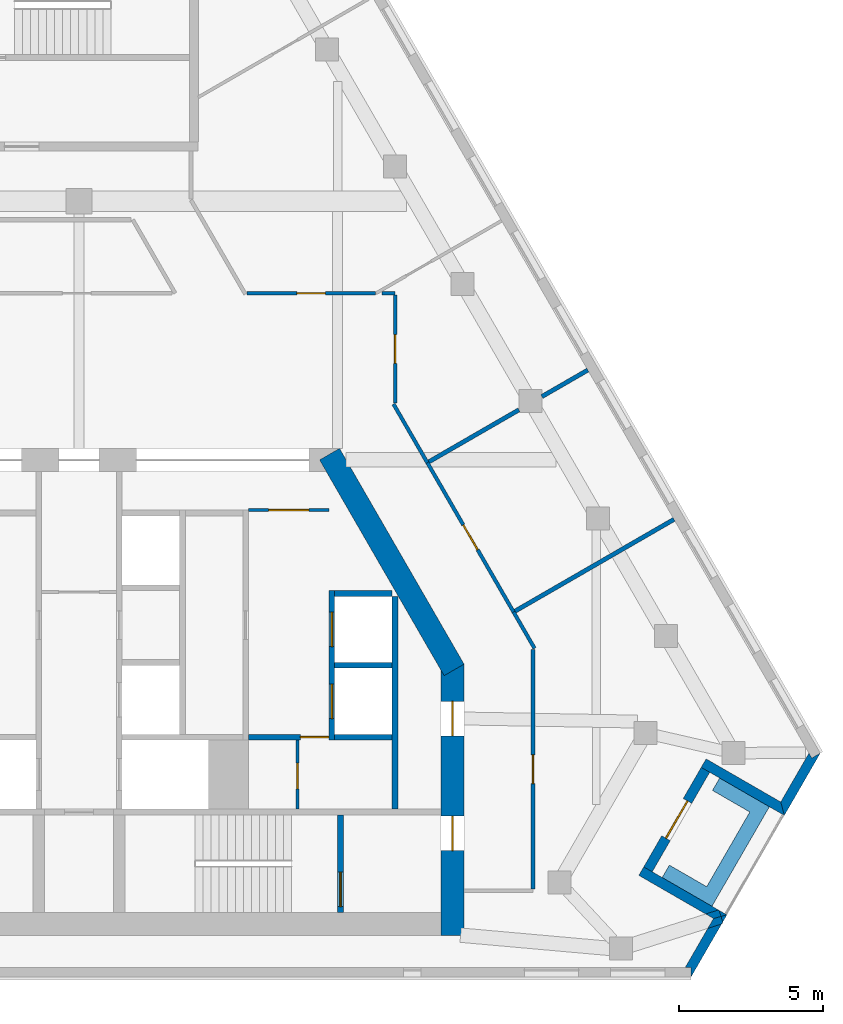
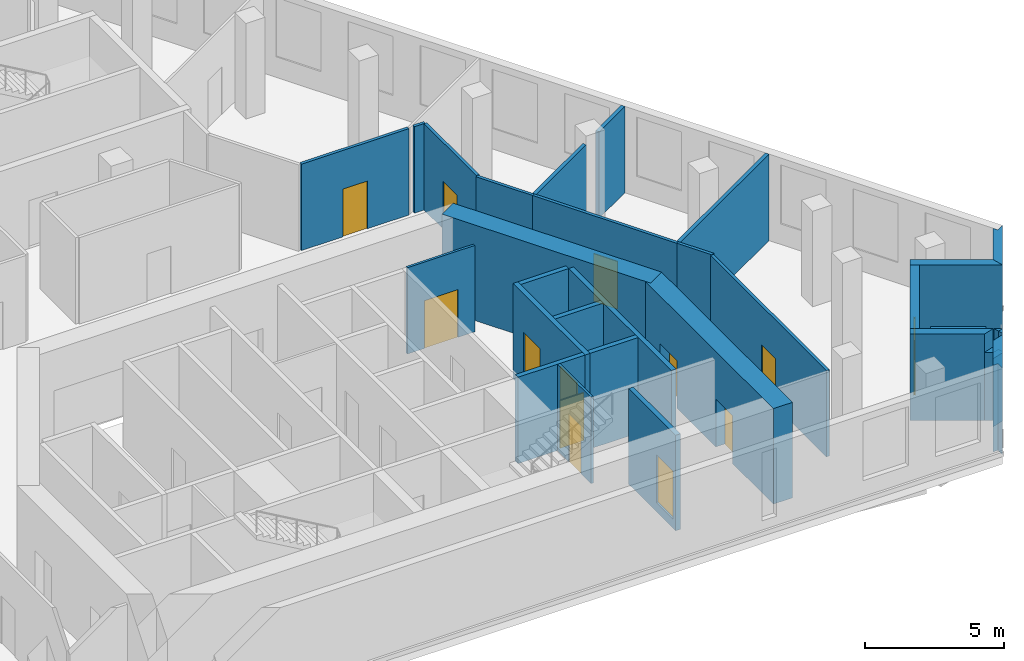
# One storey, part 5 of 8: 31 walls, 13 doors, 13 openings.
"""IFC4 building model written with IfcOpenShell, lengths in metres."""

from ifc_helpers import new_model, si_unit, direction, frame, frame_2d, origin, place, context, subcontext, project, spatial, polyline, rectangle, outline, extrude, material, layer, layer_set, type_object, element, fill, save


model = new_model("IFC4")

# Units and contexts
model_context = context("Model", 3, precision=1e-05, world=origin(), true_north=direction((0.0, 1.0)))
body_context = subcontext(model_context, "Body", "Model", "MODEL_VIEW")
ifc_project = project(units=[si_unit("LENGTHUNIT", "METRE"), si_unit("AREAUNIT", "SQUARE_METRE"), si_unit("VOLUMEUNIT", "CUBIC_METRE"), si_unit("PLANEANGLEUNIT", "RADIAN"), si_unit("MASSUNIT", "GRAM", prefix="KILO")], contexts=[model_context])

# Site, building, storey
site_placement = place(None, origin())
site = spatial("IfcSite", under=ifc_project, at=site_placement, CompositionType="ELEMENT")
building_placement = place(site_placement, origin())
building = spatial("IfcBuilding", under=site, at=building_placement, Name="Fogline Exchange Tower", CompositionType="ELEMENT")
storey_placement = place(building_placement, frame((0.0, 0.0, 266.699951171875)))
storey = spatial("IfcBuildingStorey", under=building, at=storey_placement, Name="L60", CompositionType="ELEMENT", Elevation=266.699951171875)

# Wall, opening, door
ifc_material_1 = material(Name="Blockwork partition", Category="masonry")
ifc_layer_1 = layer(ifc_material_1, 0.10009765625)
ifc_layer_set_1 = layer_set([ifc_layer_1], Name="CW10")
wall_type_1 = type_object("IfcWallType", Name="CW10", PredefinedType="PARTITIONING", material=ifc_layer_set_1)
wall_1_placement = place(storey_placement, frame((5.89990234375, 16.25, 0.0), z_axis=(0.0, 0.0, 1.0), x_axis=(1.0, 0.0, 0.0)))
wall_1 = element("IfcWall", 1, at=wall_1_placement, inside=storey, type_object=wall_type_1, Name="Lift lobby partition", PredefinedType="PARTITIONING", context=body_context, shape_type="SweptSolid", body=[
    extrude(rectangle(XDim=2.800048828125, YDim=0.10009765625, at=frame_2d((1.39990234375, 0.0))), origin(), (0.0, 0.0, 1.0), 3.800048828125),
])
opening_1_placement = place(wall_1_placement, frame((0.699951171875, 0.0, 0.0)))
opening_1 = element("IfcOpeningElement", 2, at=opening_1_placement, cuts=wall_1, Name="Opening T19-C012", PredefinedType="OPENING", context=body_context, shape_type="SweptSolid", body=[
    extrude(rectangle(XDim=1.39990234375, YDim=2.10009765625, at=frame_2d((0.699951171875, 1.050048828125))), frame((0.0, 0.06005859375, 0.0), z_axis=(0.0, -1.0, 0.0), x_axis=(1.0, 0.0, 0.0)), (0.0, 0.0, 1.0), 0.1201171875),
])
ifc_material_2 = material(Name="Steel and timber fire door", Category="steel")
door_type_1 = type_object("IfcDoorType", Name="D-LB1", OperationType="DOUBLE_DOOR_SINGLE_SWING", PredefinedType="DOOR", material=ifc_material_2)
door_1_placement = place(opening_1_placement, origin())
door_1 = element("IfcDoor", 3, at=door_1_placement, inside=storey, type_object=door_type_1, Name="Door to lift lobby", OperationType="DOUBLE_DOOR_SINGLE_SWING", OverallHeight=2.10009765625, OverallWidth=1.39990234375, PredefinedType="DOOR", context=body_context, shape_type="SweptSolid", body=[
    extrude(rectangle(XDim=1.39990234375, YDim=2.10009765625, at=frame_2d((0.699951171875, 1.050048828125))), frame((0.0, 0.02490234375, 0.0), z_axis=(0.0, -1.0, 0.0), x_axis=(1.0, 0.0, 0.0)), (0.0, 0.0, 1.0), 0.050048828125),
])
fill(opening_1, door_1)

wall_2_placement = place(storey_placement, frame((7.60009765625, 5.85009765625, 0.0), z_axis=(0.0, 0.0, 1.0), x_axis=(0.0, 1.0, 0.0)))
wall_2 = element("IfcWall", 4, at=wall_2_placement, inside=storey, type_object=wall_type_1, Name="WC partition", PredefinedType="PARTITIONING", context=body_context, shape_type="SweptSolid", body=[
    extrude(rectangle(XDim=2.39990234375, YDim=0.10009765625, at=frame_2d((1.199951171875, 0.0))), origin(), (0.0, 0.0, 1.0), 3.800048828125),
])
opening_2_placement = place(wall_2_placement, frame((0.699951171875, 0.0, 0.0)))
opening_2 = element("IfcOpeningElement", 5, at=opening_2_placement, cuts=wall_2, Name="Opening T19-C014", PredefinedType="OPENING", context=body_context, shape_type="SweptSolid", body=[
    extrude(rectangle(XDim=0.89990234375, YDim=2.10009765625, at=frame_2d((0.449951171875, 1.050048828125))), frame((0.0, 0.06005859375, 0.0), z_axis=(0.0, -1.0, 0.0), x_axis=(1.0, 0.0, 0.0)), (0.0, 0.0, 1.0), 0.1201171875),
])
door_type_2 = type_object("IfcDoorType", Name="D-CS1", OperationType="SINGLE_SWING_RIGHT", PredefinedType="DOOR", material=ifc_material_2)
door_2_placement = place(opening_2_placement, origin())
door_2 = element("IfcDoor", 6, at=door_2_placement, inside=storey, type_object=door_type_2, Name="Door to Cleaner's Store", OperationType="SINGLE_SWING_LEFT", OverallHeight=2.10009765625, OverallWidth=0.89990234375, PredefinedType="DOOR", context=body_context, shape_type="SweptSolid", body=[
    extrude(rectangle(XDim=0.89990234375, YDim=2.10009765625, at=frame_2d((0.449951171875, 1.050048828125))), frame((0.0, 0.02490234375, 0.0), z_axis=(0.0, -1.0, 0.0), x_axis=(1.0, 0.0, 0.0)), (0.0, 0.0, 1.0), 0.050048828125),
])
fill(opening_2, door_2)

# Wall
ifc_material_3 = material(Name="Concrete C40", Category="concrete")
ifc_layer_2 = layer(ifc_material_3, 0.199951171875)
ifc_layer_set_2 = layer_set([ifc_layer_2], Name="CW20")
wall_type_2 = type_object("IfcWallType", Name="CW20", PredefinedType="SOLIDWALL", material=ifc_layer_set_2)
wall_3_placement = place(storey_placement, frame((11.0, 5.85009765625, 0.0), z_axis=(0.0, 0.0, 1.0), x_axis=(0.0, 1.0, 0.0)))
element("IfcWall", 7, at=wall_3_placement, inside=storey, type_object=wall_type_2, Name="Service room wall", PredefinedType="SOLIDWALL", context=body_context, shape_type="SweptSolid", body=[
    extrude(rectangle(XDim=7.39990234375, YDim=0.199951171875, at=frame_2d((3.699951171875, 0.0))), origin(), (0.0, 0.0, 1.0), 3.800048828125),
])

# Wall, opening, door
wall_4_placement = place(storey_placement, frame((5.89990234375, 8.35009765625, 0.0), z_axis=(0.0, 0.0, 1.0), x_axis=(1.0, 0.0, 0.0)))
wall_4 = element("IfcWall", 8, at=wall_4_placement, inside=storey, type_object=wall_type_2, Name="WC wall", PredefinedType="SOLIDWALL", context=body_context, shape_type="SweptSolid", body=[
    extrude(rectangle(XDim=2.800048828125, YDim=0.199951171875, at=frame_2d((1.39990234375, 0.0))), origin(), (0.0, 0.0, 1.0), 3.800048828125),
])
opening_3_placement = place(wall_4_placement, frame((1.800048828125, 0.0, 0.0)))
opening_3 = element("IfcOpeningElement", 9, at=opening_3_placement, cuts=wall_4, Name="Opening T19-C013", PredefinedType="OPENING", context=body_context, shape_type="SweptSolid", body=[
    extrude(rectangle(XDim=1.0, YDim=2.10009765625, at=frame_2d((0.5, 1.050048828125))), frame((0.0, 0.10986328125, 0.0), z_axis=(0.0, -1.0, 0.0), x_axis=(1.0, 0.0, 0.0)), (0.0, 0.0, 1.0), 0.219970703125),
])
door_type_3 = type_object("IfcDoorType", Name="D-WC1", OperationType="SINGLE_SWING_LEFT", PredefinedType="DOOR", material=ifc_material_2)
door_3_placement = place(opening_3_placement, frame((1.0, 0.0, 0.0), z_axis=(0.0, 0.0, 1.0), x_axis=(-1.0, 0.0, 0.0)))
door_3 = element("IfcDoor", 10, at=door_3_placement, inside=storey, type_object=door_type_3, Name="Door to Women's WC", OperationType="SINGLE_SWING_LEFT", OverallHeight=2.10009765625, OverallWidth=1.0, PredefinedType="DOOR", context=body_context, shape_type="SweptSolid", body=[
    extrude(rectangle(XDim=1.0, YDim=2.10009765625, at=frame_2d((0.5, 1.050048828125))), frame((0.0, 0.02490234375, 0.0), z_axis=(0.0, -1.0, 0.0), x_axis=(1.0, 0.0, 0.0)), (0.0, 0.0, 1.0), 0.050048828125),
])
fill(opening_3, door_3)

ifc_layer_3 = layer(ifc_material_3, 0.199951171875)
ifc_layer_set_3 = layer_set([ifc_layer_3], Name="CW20R")
wall_type_3 = type_object("IfcWallType", Name="CW20R", PredefinedType="SOLIDWALL", material=ifc_layer_set_3)
wall_5_placement = place(storey_placement, frame((9.10009765625, 2.25, -0.39990234375), z_axis=(0.0, 0.0, 1.0), x_axis=(0.0, 1.0, 0.0)))
wall_5 = element("IfcWall", 11, at=wall_5_placement, inside=storey, type_object=wall_type_3, Name="Stair enclosure wall", PredefinedType="SOLIDWALL", context=body_context, shape_type="SweptSolid", body=[
    extrude(rectangle(XDim=3.39990234375, YDim=0.199951171875, at=frame_2d((1.699951171875, 0.0))), origin(), (0.0, 0.0, 1.0), 4.199951171875),
])
opening_4_placement = place(wall_5_placement, frame((0.199951171875, 0.0, 0.39990234375)))
opening_4 = element("IfcOpeningElement", 12, at=opening_4_placement, cuts=wall_5, Name="Opening T19-C016", PredefinedType="OPENING", context=body_context, shape_type="SweptSolid", body=[
    extrude(rectangle(XDim=1.199951171875, YDim=2.10009765625, at=frame_2d((0.60009765625, 1.050048828125))), frame((0.0, 0.10986328125, 0.0), z_axis=(0.0, -1.0, 0.0), x_axis=(1.0, 0.0, 0.0)), (0.0, 0.0, 1.0), 0.219970703125),
])
door_type_4 = type_object("IfcDoorType", Name="D-ST1", OperationType="SINGLE_SWING_LEFT", PredefinedType="DOOR", material=ifc_material_2)
door_4_placement = place(opening_4_placement, origin())
door_4 = element("IfcDoor", 13, at=door_4_placement, inside=storey, type_object=door_type_4, Name="Stair door ST2", OperationType="SINGLE_SWING_LEFT", OverallHeight=2.10009765625, OverallWidth=1.199951171875, PredefinedType="DOOR", context=body_context, shape_type="SweptSolid", body=[
    extrude(rectangle(XDim=1.199951171875, YDim=2.10009765625, at=frame_2d((0.60009765625, 1.050048828125))), frame((0.0, 0.02490234375, 0.0), z_axis=(0.0, -1.0, 0.0), x_axis=(1.0, 0.0, 0.0)), (0.0, 0.0, 1.0), 0.050048828125),
])
fill(opening_4, door_4)

# Wall, openings, doors
ifc_layer_4 = layer(ifc_material_3, 0.199951171875)
ifc_layer_set_4 = layer_set([ifc_layer_4], Name="CW20S")
wall_type_4 = type_object("IfcWallType", Name="CW20S", PredefinedType="SOLIDWALL", material=ifc_layer_set_4)
wall_6_placement = place(storey_placement, frame((8.800048828125, 8.25, -0.39990234375), z_axis=(0.0, 0.0, 1.0), x_axis=(0.0, 1.0, 0.0)))
wall_6 = element("IfcWall", 14, at=wall_6_placement, inside=storey, type_object=wall_type_4, Name="Lift shaft wall", PredefinedType="SOLIDWALL", context=body_context, shape_type="SweptSolid", body=[
    extrude(rectangle(XDim=5.199951171875, YDim=0.199951171875, at=frame_2d((2.60009765625, 0.0))), origin(), (0.0, 0.0, 1.0), 4.199951171875),
])
opening_5_placement = place(wall_6_placement, frame((0.75, 0.0, 0.39990234375)))
opening_5 = element("IfcOpeningElement", 15, at=opening_5_placement, cuts=wall_6, Name="Opening T19-LD02", PredefinedType="OPENING", context=body_context, shape_type="SweptSolid", body=[
    extrude(rectangle(XDim=1.199951171875, YDim=2.10009765625, at=frame_2d((0.60009765625, 1.050048828125))), frame((0.0, 0.10986328125, 0.0), z_axis=(0.0, -1.0, 0.0), x_axis=(1.0, 0.0, 0.0)), (0.0, 0.0, 1.0), 0.219970703125),
])
opening_6_placement = place(wall_6_placement, frame((3.25, 0.0, 0.39990234375)))
opening_6 = element("IfcOpeningElement", 16, at=opening_6_placement, cuts=wall_6, Name="Opening T19-LD03", PredefinedType="OPENING", context=body_context, shape_type="SweptSolid", body=[
    extrude(rectangle(XDim=1.199951171875, YDim=2.10009765625, at=frame_2d((0.60009765625, 1.050048828125))), frame((0.0, 0.10986328125, 0.0), z_axis=(0.0, -1.0, 0.0), x_axis=(1.0, 0.0, 0.0)), (0.0, 0.0, 1.0), 0.219970703125),
])
door_type_5 = type_object("IfcDoorType", Name="LD1", OperationType="SLIDING_TO_LEFT", PredefinedType="DOOR", material=ifc_material_2)
door_5_placement = place(opening_5_placement, origin())
door_5 = element("IfcDoor", 17, at=door_5_placement, inside=storey, type_object=door_type_5, Name="Landing door HR1", OperationType="SLIDING_TO_LEFT", OverallHeight=2.10009765625, OverallWidth=1.199951171875, PredefinedType="DOOR", context=body_context, shape_type="SweptSolid", body=[
    extrude(rectangle(XDim=1.199951171875, YDim=2.10009765625, at=frame_2d((0.60009765625, 1.050048828125))), frame((0.0, 0.02490234375, 0.0), z_axis=(0.0, -1.0, 0.0), x_axis=(1.0, 0.0, 0.0)), (0.0, 0.0, 1.0), 0.050048828125),
])
fill(opening_5, door_5)
door_6_placement = place(opening_6_placement, origin())
door_6 = element("IfcDoor", 18, at=door_6_placement, inside=storey, type_object=door_type_5, Name="Landing door HR2", OperationType="SLIDING_TO_LEFT", OverallHeight=2.10009765625, OverallWidth=1.199951171875, PredefinedType="DOOR", context=body_context, shape_type="SweptSolid", body=[
    extrude(rectangle(XDim=1.199951171875, YDim=2.10009765625, at=frame_2d((0.60009765625, 1.050048828125))), frame((0.0, 0.02490234375, 0.0), z_axis=(0.0, -1.0, 0.0), x_axis=(1.0, 0.0, 0.0)), (0.0, 0.0, 1.0), 0.050048828125),
])
fill(opening_6, door_6)

# Walls
for number, where, z_axis, x_axis, name in (
    (19, (8.89990234375, 8.35009765625, -0.39990234375), (0.0, 0.0, 1.0), (1.0, 0.0, 0.0), "Lift shaft wall"),
    (20, (8.89990234375, 10.85009765625, -0.39990234375), (0.0, 0.0, 1.0), (1.0, 0.0, 0.0), "Lift shaft wall"),
    (21, (8.89990234375, 13.35009765625, -0.39990234375), (0.0, 0.0, 1.0), (1.0, 0.0, 0.0), "Lift shaft wall"),
):
    element("IfcWall", number, at=place(storey_placement, frame(where, z_axis=z_axis, x_axis=x_axis)), inside=storey, type_object=wall_type_4, Name=name, PredefinedType="SOLIDWALL", context=body_context, shape_type="SweptSolid", body=[
        extrude(rectangle(XDim=2.0, YDim=0.199951171875, at=frame_2d((1.0, 0.0))), origin(), (0.0, 0.0, 1.0), 4.199951171875),
    ])
ifc_material_4 = material(Name="Brick masonry", Category="masonry")
ifc_layer_5 = layer(ifc_material_4, 0.340087890625)
ifc_layer_set_5 = layer_set([ifc_layer_5], Name="FW1")
wall_type_5 = type_object("IfcWallType", Name="FW1", PredefinedType="SOLIDWALL", material=ifc_layer_set_5)
wall_7_placement = place(storey_placement, origin())
element("IfcWall", 22, at=wall_7_placement, inside=storey, type_object=wall_type_5, Name="Brick wall L60 SE-c1", PredefinedType="SOLIDWALL", context=body_context, shape_type="SweptSolid", body=[
    extrude(outline(polyline([(22.36474609375, 1.848388671875), (21.882568359375, 1.695556640625), (22.08203125, 2.041015625), (22.3427734375, 2.11083984375), (22.404296875, 1.91650390625), (22.36474609375, 1.848388671875)])), origin(), (0.0, 0.0, 1.0), 3.0),
])
wall_8_placement = place(storey_placement, origin())
element("IfcWall", 23, at=wall_8_placement, inside=storey, type_object=wall_type_5, Name="Brick wall L60 SE-c1", PredefinedType="SOLIDWALL", context=body_context, shape_type="SweptSolid", body=[
    extrude(outline(polyline([(22.404296875, 1.91650390625), (22.3427734375, 2.11083984375), (22.5478515625, 2.166015625), (22.548095703125, 2.165771484375), (22.404296875, 1.91650390625)])), origin(), (0.0, 0.0, 1.0), 3.800048828125),
])
wall_9_placement = place(storey_placement, origin())
element("IfcWall", 24, at=wall_9_placement, inside=storey, type_object=wall_type_5, Name="Brick wall L60 SE-c1", PredefinedType="SOLIDWALL", context=body_context, shape_type="SweptSolid", body=[
    extrude(outline(polyline([(21.296875, -0.001220703125), (21.29638671875, -0.0009765625), (21.29638671875, 0.33935546875), (21.099609375, 0.33935546875), (21.882568359375, 1.695556640625), (22.36474609375, 1.848388671875), (21.296875, -0.001220703125)])), origin(), (0.0, 0.0, 1.0), 3.800048828125),
])
wall_10_placement = place(storey_placement, origin())
element("IfcWall", 25, at=wall_10_placement, inside=storey, type_object=wall_type_5, Name="Brick wall L60 SE-s1", PredefinedType="SOLIDWALL", context=body_context, shape_type="SweptSolid", body=[
    extrude(outline(polyline([(22.275634765625, 2.322265625), (22.343017578125, 2.10986328125), (22.08251953125, 2.0400390625), (21.810302734375, 2.197265625), (22.2509765625, 2.336669921875), (22.275634765625, 2.322265625)])), origin(), (0.0, 0.0, 1.0), 3.0),
])
wall_11_placement = place(storey_placement, origin())
element("IfcWall", 26, at=wall_11_placement, inside=storey, type_object=wall_type_5, Name="Brick wall L60 SE-s1", PredefinedType="SOLIDWALL", context=body_context, shape_type="SweptSolid", body=[
    extrude(outline(polyline([(19.654296875, 3.8359375), (19.94921875, 3.66552734375), (22.2509765625, 2.336669921875), (21.810302734375, 2.197265625), (19.483642578125, 3.540283203125), (19.654296875, 3.8359375)])), origin(), (0.0, 0.0, 1.0), 3.800048828125),
])
wall_12_placement = place(storey_placement, origin())
element("IfcWall", 27, at=wall_12_placement, inside=storey, type_object=wall_type_5, Name="Brick wall L60 SE-s1", PredefinedType="SOLIDWALL", context=body_context, shape_type="SweptSolid", body=[
    extrude(outline(polyline([(22.548095703125, 2.1650390625), (22.548095703125, 2.164794921875), (22.343017578125, 2.10986328125), (22.275634765625, 2.322265625), (22.548095703125, 2.1650390625)])), origin(), (0.0, 0.0, 1.0), 3.800048828125),
])

# Wall, opening, door
wall_13_placement = place(storey_placement, frame((19.8017578125, 3.75, 0.0), z_axis=(0.0, 0.0, 1.0), x_axis=(0.49999894854, 0.866026010844, 0.0)))
wall_13 = element("IfcWall", 28, at=wall_13_placement, inside=storey, type_object=wall_type_5, Name="Brick wall L60 SE-bk", PredefinedType="SOLIDWALL", context=body_context, shape_type="SweptSolid", body=[
    extrude(rectangle(XDim=4.0, YDim=0.340087890625, at=frame_2d((2.0, 0.0))), origin(), (0.0, 0.0, 1.0), 3.800048828125),
])
opening_7_placement = place(wall_13_placement, frame((1.25, 0.0, 0.0)))
opening_7 = element("IfcOpeningElement", 29, at=opening_7_placement, cuts=wall_13, Name="Opening T19-E081", PredefinedType="OPENING", context=body_context, shape_type="SweptSolid", body=[
    extrude(rectangle(XDim=1.5, YDim=2.39990234375, at=frame_2d((0.75, 1.199951171875))), frame((0.0, 0.18017578125, 0.0), z_axis=(0.0, -1.0, 0.0), x_axis=(1.0, 0.0, 0.0)), (0.0, 0.0, 1.0), 0.360107421875),
])
ifc_material_5 = material(Name="Aluminium and glass", Category="aluminium")
door_type_6 = type_object("IfcDoorType", Name="ED4", OperationType="SINGLE_SWING_LEFT", PredefinedType="DOOR", material=ifc_material_5)
door_7_placement = place(opening_7_placement, frame((1.5, 0.0, 0.0), z_axis=(0.0, 0.0, 1.0), x_axis=(-1.0, 0.0, 0.0)))
door_7 = element("IfcDoor", 30, at=door_7_placement, inside=storey, type_object=door_type_6, Name="Balcony door L60 SE", OperationType="DOUBLE_DOOR_SINGLE_SWING", OverallHeight=2.39990234375, OverallWidth=1.5, PredefinedType="DOOR", context=body_context, shape_type="SweptSolid", body=[
    extrude(rectangle(XDim=1.5, YDim=2.39990234375, at=frame_2d((0.75, 1.199951171875))), frame((0.0, 0.02490234375, 0.0), z_axis=(0.0, -1.0, 0.0), x_axis=(1.0, 0.0, 0.0)), (0.0, 0.0, 1.0), 0.050048828125),
])
fill(opening_7, door_7)

# Walls
wall_14_placement = place(storey_placement, origin())
element("IfcWall", 31, at=wall_14_placement, inside=storey, type_object=wall_type_5, Name="Brick wall L60 SE-s2", PredefinedType="SOLIDWALL", context=body_context, shape_type="SweptSolid", body=[
    extrude(outline(polyline([(24.547607421875, 5.628173828125), (21.948486328125, 7.128662109375), (21.653564453125, 7.298828125), (21.82421875, 7.594482421875), (24.423095703125, 6.093994140625), (24.5478515625, 5.62841796875), (24.547607421875, 5.628173828125)])), origin(), (0.0, 0.0, 1.0), 3.800048828125),
])
wall_15_placement = place(storey_placement, origin())
element("IfcWall", 32, at=wall_15_placement, inside=storey, type_object=wall_type_5, Name="Brick wall L60 SE-c2", PredefinedType="SOLIDWALL", context=body_context, shape_type="SweptSolid", body=[
    extrude(outline(polyline([(25.404296875, 7.79541015625), (25.502685546875, 7.625), (25.797607421875, 7.79541015625), (25.798095703125, 7.794921875), (24.546875, 5.6279296875), (24.546630859375, 5.6279296875), (24.421875, 6.09375), (25.404296875, 7.79541015625)])), origin(), (0.0, 0.0, 1.0), 3.800048828125),
])
ifc_material_6 = material(Name="Concrete C30", Category="concrete")
ifc_layer_6 = layer(ifc_material_6, 0.199951171875)
ifc_layer_set_6 = layer_set([ifc_layer_6], Name="PL1")
wall_type_6 = type_object("IfcWallType", Name="PL1", PredefinedType="USERDEFINED", material=ifc_layer_set_6)
wall_16_placement = place(storey_placement, origin())
element("IfcWall", 33, at=wall_16_placement, inside=storey, type_object=wall_type_6, Name="PLANTER balcony L60 SE", ObjectType="PLANTER", PredefinedType="USERDEFINED", context=body_context, shape_type="SweptSolid", body=[
    extrude(outline(polyline([(20.29541015625, 3.465087890625), (21.59423828125, 2.715087890625), (21.59423828125, 2.715087890625), (22.02734375, 2.465087890625), (23.77734375, 5.49609375), (24.02734375, 5.92919921875), (22.29541015625, 6.92919921875), (22.04541015625, 6.49609375), (23.34423828125, 5.74609375), (21.84423828125, 3.148193359375), (20.54541015625, 3.898193359375), (20.29541015625, 3.465087890625)])), origin(), (0.0, 0.0, 1.0), 1.10009765625),
])
ifc_material_7 = material(Name="Plasterboard corridor partition with mineral wool, 2 layers each side")
ifc_layer_7 = layer(ifc_material_7, 0.125)
ifc_layer_set_7 = layer_set([ifc_layer_7], Name="PW2")
wall_type_7 = type_object("IfcWallType", Name="PW2", PredefinedType="PARTITIONING", material=ifc_layer_set_7)
wall_17_placement = place(storey_placement, frame((10.94580078125, 19.942626953125, 0.0), z_axis=(0.0, 0.0, 1.0), x_axis=(0.500018540756, -0.866014699009, 0.0)))
element("IfcWall", 34, at=wall_17_placement, inside=storey, type_object=wall_type_7, Name="wall-L60-W001", PredefinedType="PARTITIONING", context=body_context, shape_type="SweptSolid", body=[
    extrude(rectangle(XDim=2.35546875, YDim=0.125, at=frame_2d((1.177734375, 0.0))), origin(), (0.0, 0.0, 1.0), 3.800048828125),
])
wall_18_placement = place(storey_placement, frame((15.12353515625, 12.70654296875, 0.0), z_axis=(0.0, 0.0, 1.0), x_axis=(0.500002030309, -0.866024231582, 0.0)))
element("IfcWall", 35, at=wall_18_placement, inside=storey, type_object=wall_type_7, Name="wall-L60-W002", PredefinedType="PARTITIONING", context=body_context, shape_type="SweptSolid", body=[
    extrude(rectangle(XDim=1.46142578125, YDim=0.125, at=frame_2d((0.730712890625, 0.0))), origin(), (0.0, 0.0, 1.0), 3.800048828125),
])

# Wall, opening, door
wall_19_placement = place(storey_placement, frame((15.800048828125, 11.409912109375, 0.0), z_axis=(0.0, 0.0, 1.0), x_axis=(0.0, -1.0, 0.0)))
wall_19 = element("IfcWall", 36, at=wall_19_placement, inside=storey, type_object=wall_type_7, Name="wall-L60-W003", PredefinedType="PARTITIONING", context=body_context, shape_type="SweptSolid", body=[
    extrude(rectangle(XDim=8.347412109375, YDim=0.125, at=frame_2d((4.173828125, 0.0))), origin(), (0.0, 0.0, 1.0), 3.800048828125),
])
opening_8_placement = place(wall_19_placement, frame((3.673583984375, 0.0, 0.0)))
opening_8 = element("IfcOpeningElement", 37, at=opening_8_placement, cuts=wall_19, Name="Opening T19-D001", PredefinedType="OPENING", context=body_context, shape_type="SweptSolid", body=[
    extrude(rectangle(XDim=1.0, YDim=2.10009765625, at=frame_2d((0.5, 1.050048828125))), frame((0.0, 0.072509765625, 0.0), z_axis=(0.0, -1.0, 0.0), x_axis=(1.0, 0.0, 0.0)), (0.0, 0.0, 1.0), 0.14501953125),
])
ifc_material_8 = material(Name="Fire-rated timber door leaf with steel frame", Category="steel")
door_type_7 = type_object("IfcDoorType", Name="D3", OperationType="SINGLE_SWING_LEFT", PredefinedType="DOOR", material=ifc_material_8)
door_8_placement = place(opening_8_placement, origin())
door_8 = element("IfcDoor", 38, at=door_8_placement, inside=storey, type_object=door_type_7, Name="door-L60-D001", OperationType="SINGLE_SWING_RIGHT", OverallHeight=2.10009765625, OverallWidth=1.0, PredefinedType="DOOR", context=body_context, shape_type="SweptSolid", body=[
    extrude(rectangle(XDim=1.0, YDim=2.10009765625, at=frame_2d((0.5, 1.050048828125))), frame((0.0, 0.02490234375, 0.0), z_axis=(0.0, -1.0, 0.0), x_axis=(1.0, 0.0, 0.0)), (0.0, 0.0, 1.0), 0.050048828125),
])
fill(opening_8, door_8)

wall_20_placement = place(storey_placement, frame((12.12353515625, 17.90283203125, 0.0), z_axis=(0.0, 0.0, 1.0), x_axis=(0.499990139034, -0.866031096941, 0.0)))
wall_20 = element("IfcWall", 39, at=wall_20_placement, inside=storey, type_object=wall_type_7, Name="wall-L60-W005", PredefinedType="PARTITIONING", context=body_context, shape_type="SweptSolid", body=[
    extrude(rectangle(XDim=6.0, YDim=0.125, at=frame_2d((3.0, 0.0))), origin(), (0.0, 0.0, 1.0), 3.800048828125),
])
opening_9_placement = place(wall_20_placement, frame((2.5, 0.0, 0.0)))
opening_9 = element("IfcOpeningElement", 40, at=opening_9_placement, cuts=wall_20, Name="Opening T19-D002", PredefinedType="OPENING", context=body_context, shape_type="SweptSolid", body=[
    extrude(rectangle(XDim=1.0, YDim=2.10009765625, at=frame_2d((0.5, 1.050048828125))), frame((0.0, 0.072509765625, 0.0), z_axis=(0.0, -1.0, 0.0), x_axis=(1.0, 0.0, 0.0)), (0.0, 0.0, 1.0), 0.14501953125),
])
door_9_placement = place(opening_9_placement, origin())
door_9 = element("IfcDoor", 41, at=door_9_placement, inside=storey, type_object=door_type_7, Name="door-L60-D002", OperationType="SINGLE_SWING_LEFT", OverallHeight=2.10009765625, OverallWidth=1.0, PredefinedType="DOOR", context=body_context, shape_type="SweptSolid", body=[
    extrude(rectangle(XDim=1.0, YDim=2.10009765625, at=frame_2d((0.5, 1.050048828125))), frame((0.0, 0.02490234375, 0.0), z_axis=(0.0, -1.0, 0.0), x_axis=(1.0, 0.0, 0.0)), (0.0, 0.0, 1.0), 0.050048828125),
])
fill(opening_9, door_9)

# Wall
wall_21_placement = place(storey_placement, frame((10.54638671875, 23.800048828125, 0.0), z_axis=(0.0, 0.0, 1.0), x_axis=(1.0, 0.0, 0.0)))
element("IfcWall", 42, at=wall_21_placement, inside=storey, type_object=wall_type_7, Name="wall-L60-W006", PredefinedType="PARTITIONING", context=body_context, shape_type="SweptSolid", body=[
    extrude(rectangle(XDim=0.45361328125, YDim=0.125, at=frame_2d((0.226806640625, 0.0))), origin(), (0.0, 0.0, 1.0), 3.800048828125),
])

# Wall, opening, door
wall_22_placement = place(storey_placement, frame((11.0, 23.737548828125, 0.0), z_axis=(0.0, 0.0, 1.0), x_axis=(0.0, -1.0, 0.0)))
wall_22 = element("IfcWall", 43, at=wall_22_placement, inside=storey, type_object=wall_type_7, Name="wall-L60-W007", PredefinedType="PARTITIONING", context=body_context, shape_type="SweptSolid", body=[
    extrude(rectangle(XDim=3.763916015625, YDim=0.125, at=frame_2d((1.8818359375, 0.0))), origin(), (0.0, 0.0, 1.0), 3.800048828125),
])
opening_10_placement = place(wall_22_placement, frame((1.3818359375, 0.0, 0.0)))
opening_10 = element("IfcOpeningElement", 44, at=opening_10_placement, cuts=wall_22, Name="Opening T19-D003", PredefinedType="OPENING", context=body_context, shape_type="SweptSolid", body=[
    extrude(rectangle(XDim=1.0, YDim=2.10009765625, at=frame_2d((0.5, 1.050048828125))), frame((0.0, 0.072509765625, 0.0), z_axis=(0.0, -1.0, 0.0), x_axis=(1.0, 0.0, 0.0)), (0.0, 0.0, 1.0), 0.14501953125),
])
door_10_placement = place(opening_10_placement, origin())
door_10 = element("IfcDoor", 45, at=door_10_placement, inside=storey, type_object=door_type_7, Name="door-L60-D003", OperationType="SINGLE_SWING_RIGHT", OverallHeight=2.10009765625, OverallWidth=1.0, PredefinedType="DOOR", context=body_context, shape_type="SweptSolid", body=[
    extrude(rectangle(XDim=1.0, YDim=2.10009765625, at=frame_2d((0.5, 1.050048828125))), frame((0.0, 0.02490234375, 0.0), z_axis=(0.0, -1.0, 0.0), x_axis=(1.0, 0.0, 0.0)), (0.0, 0.0, 1.0), 0.050048828125),
])
fill(opening_10, door_10)

wall_23_placement = place(storey_placement, frame((5.84326171875, 23.800048828125, 0.0), z_axis=(0.0, 0.0, 1.0), x_axis=(1.0, 0.0, 0.0)))
wall_23 = element("IfcWall", 46, at=wall_23_placement, inside=storey, type_object=wall_type_7, Name="wall-L60-W008", PredefinedType="PARTITIONING", context=body_context, shape_type="SweptSolid", body=[
    extrude(rectangle(XDim=4.468994140625, YDim=0.125, at=frame_2d((2.234375, 0.0))), origin(), (0.0, 0.0, 1.0), 3.800048828125),
])
opening_11_placement = place(wall_23_placement, frame((1.734619140625, 0.0, 0.0)))
opening_11 = element("IfcOpeningElement", 47, at=opening_11_placement, cuts=wall_23, Name="Opening T19-D004", PredefinedType="OPENING", context=body_context, shape_type="SweptSolid", body=[
    extrude(rectangle(XDim=1.0, YDim=2.10009765625, at=frame_2d((0.5, 1.050048828125))), frame((0.0, 0.072509765625, 0.0), z_axis=(0.0, -1.0, 0.0), x_axis=(1.0, 0.0, 0.0)), (0.0, 0.0, 1.0), 0.14501953125),
])
door_11_placement = place(opening_11_placement, origin())
door_11 = element("IfcDoor", 48, at=door_11_placement, inside=storey, type_object=door_type_7, Name="door-L60-D004", OperationType="SINGLE_SWING_LEFT", OverallHeight=2.10009765625, OverallWidth=1.0, PredefinedType="DOOR", context=body_context, shape_type="SweptSolid", body=[
    extrude(rectangle(XDim=1.0, YDim=2.10009765625, at=frame_2d((0.5, 1.050048828125))), frame((0.0, 0.02490234375, 0.0), z_axis=(0.0, -1.0, 0.0), x_axis=(1.0, 0.0, 0.0)), (0.0, 0.0, 1.0), 0.050048828125),
])
fill(opening_11, door_11)

# Walls
ifc_material_9 = material(Name="Plasterboard demising partition with mineral wool and acoustic board")
ifc_layer_8 = layer(ifc_material_9, 0.14990234375)
ifc_layer_set_8 = layer_set([ifc_layer_8], Name="PW3")
wall_type_8 = type_object("IfcWallType", Name="PW3", PredefinedType="PARTITIONING", material=ifc_layer_set_8)
wall_24_placement = place(storey_placement, frame((17.70703125, 21.12646484375, 0.0), z_axis=(0.0, 0.0, 1.0), x_axis=(-0.866020375458, -0.500008709215, 0.0)))
element("IfcWall", 49, at=wall_24_placement, inside=storey, type_object=wall_type_8, Name="wall-L60-W027", PredefinedType="PARTITIONING", context=body_context, shape_type="SweptSolid", body=[
    extrude(rectangle(XDim=1.845703125, YDim=0.14990234375, at=frame_2d((0.9228515625, 0.0))), origin(), (0.0, 0.0, 1.0), 3.800048828125),
])
wall_25_placement = place(storey_placement, frame((15.30859375, 19.74169921875, 0.0), z_axis=(0.0, 0.0, 1.0), x_axis=(-0.866040526528, -0.499973805724, 0.0)))
element("IfcWall", 50, at=wall_25_placement, inside=storey, type_object=wall_type_8, Name="wall-L60-W028", PredefinedType="PARTITIONING", context=body_context, shape_type="SweptSolid", body=[
    extrude(rectangle(XDim=3.615478515625, YDim=0.14990234375, at=frame_2d((1.8076171875, 0.0))), origin(), (0.0, 0.0, 1.0), 3.800048828125),
])
wall_26_placement = place(storey_placement, frame((15.177490234375, 12.73779296875, 0.0), z_axis=(0.0, 0.0, 1.0), x_axis=(0.866015572945, 0.500017027127, 0.0)))
element("IfcWall", 51, at=wall_26_placement, inside=storey, type_object=wall_type_8, Name="wall-L60-W039", PredefinedType="PARTITIONING", context=body_context, shape_type="SweptSolid", body=[
    extrude(rectangle(XDim=6.385009765625, YDim=0.14990234375, at=frame_2d((3.1923828125, 0.0))), origin(), (0.0, 0.0, 1.0), 3.800048828125),
])

# Wall, openings, doors
ifc_material_10 = material(Name="Concrete C50", Category="concrete")
ifc_layer_9 = layer(ifc_material_10, 0.800048828125)
ifc_layer_set_9 = layer_set([ifc_layer_9], Name="SW04")
wall_type_9 = type_object("IfcWallType", Name="SW04", PredefinedType="SHEAR", material=ifc_layer_set_9)
wall_27_placement = place(storey_placement, frame((13.0, 1.449951171875, 0.0), z_axis=(0.0, 0.0, 1.0), x_axis=(0.0, 1.0, 0.0)))
wall_27 = element("IfcWall", 52, at=wall_27_placement, inside=storey, type_object=wall_type_9, Name="L60-W902", PredefinedType="SHEAR", context=body_context, shape_type="SweptSolid", body=[
    extrude(rectangle(XDim=9.44189453125, YDim=0.800048828125, at=frame_2d((4.720947265625, 0.0))), origin(), (0.0, 0.0, 1.0), 4.199951171875),
])
opening_12_placement = place(wall_27_placement, frame((2.949951171875, 0.0, 0.0)))
opening_12 = element("IfcOpeningElement", 53, at=opening_12_placement, cuts=wall_27, Name="Opening T19-C015", PredefinedType="OPENING", context=body_context, shape_type="SweptSolid", body=[
    extrude(rectangle(XDim=1.199951171875, YDim=2.10009765625, at=frame_2d((0.60009765625, 1.050048828125))), frame((0.0, 0.41015625, 0.0), z_axis=(0.0, -1.0, 0.0), x_axis=(1.0, 0.0, 0.0)), (0.0, 0.0, 1.0), 0.820068359375),
])
opening_13_placement = place(wall_27_placement, frame((6.949951171875, 0.0, 0.0)))
opening_13 = element("IfcOpeningElement", 54, at=opening_13_placement, cuts=wall_27, Name="Opening T19-C017", PredefinedType="OPENING", context=body_context, shape_type="SweptSolid", body=[
    extrude(rectangle(XDim=1.199951171875, YDim=2.10009765625, at=frame_2d((0.60009765625, 1.050048828125))), frame((0.0, 0.41015625, 0.0), z_axis=(0.0, -1.0, 0.0), x_axis=(1.0, 0.0, 0.0)), (0.0, 0.0, 1.0), 0.820068359375),
])
door_type_8 = type_object("IfcDoorType", Name="D-FR1", OperationType="SINGLE_SWING_RIGHT", PredefinedType="DOOR", material=ifc_material_2)
door_12_placement = place(opening_12_placement, origin())
door_12 = element("IfcDoor", 55, at=door_12_placement, inside=storey, type_object=door_type_8, Name="Front room door ST2", OperationType="SINGLE_SWING_RIGHT", OverallHeight=2.10009765625, OverallWidth=1.199951171875, PredefinedType="DOOR", context=body_context, shape_type="SweptSolid", body=[
    extrude(rectangle(XDim=1.199951171875, YDim=2.10009765625, at=frame_2d((0.60009765625, 1.050048828125))), frame((0.0, 0.02490234375, 0.0), z_axis=(0.0, -1.0, 0.0), x_axis=(1.0, 0.0, 0.0)), (0.0, 0.0, 1.0), 0.050048828125),
])
fill(opening_12, door_12)
door_type_9 = type_object("IfcDoorType", Name="D-SV1", OperationType="SINGLE_SWING_LEFT", PredefinedType="DOOR", material=ifc_material_2)
door_13_placement = place(opening_13_placement, origin())
door_13 = element("IfcDoor", 56, at=door_13_placement, inside=storey, type_object=door_type_9, Name="Service door E", OperationType="SINGLE_SWING_RIGHT", OverallHeight=2.10009765625, OverallWidth=1.199951171875, PredefinedType="DOOR", context=body_context, shape_type="SweptSolid", body=[
    extrude(rectangle(XDim=1.199951171875, YDim=2.10009765625, at=frame_2d((0.60009765625, 1.050048828125))), frame((0.0, 0.02490234375, 0.0), z_axis=(0.0, -1.0, 0.0), x_axis=(1.0, 0.0, 0.0)), (0.0, 0.0, 1.0), 0.050048828125),
])
fill(opening_13, door_13)

# Wall
wall_28_placement = place(storey_placement, frame((13.0537109375, 10.69189453125, 0.0), z_axis=(0.0, 0.0, 1.0), x_axis=(-0.500015780397, 0.866016292776, 0.0)))
element("IfcWall", 57, at=wall_28_placement, inside=storey, type_object=wall_type_9, Name="L60-W903", PredefinedType="SHEAR", context=body_context, shape_type="SweptSolid", body=[
    extrude(rectangle(XDim=8.669677734375, YDim=0.800048828125, at=frame_2d((4.3349609375, 0.0))), origin(), (0.0, 0.0, 1.0), 4.199951171875),
])

save(model, "model.ifc")
